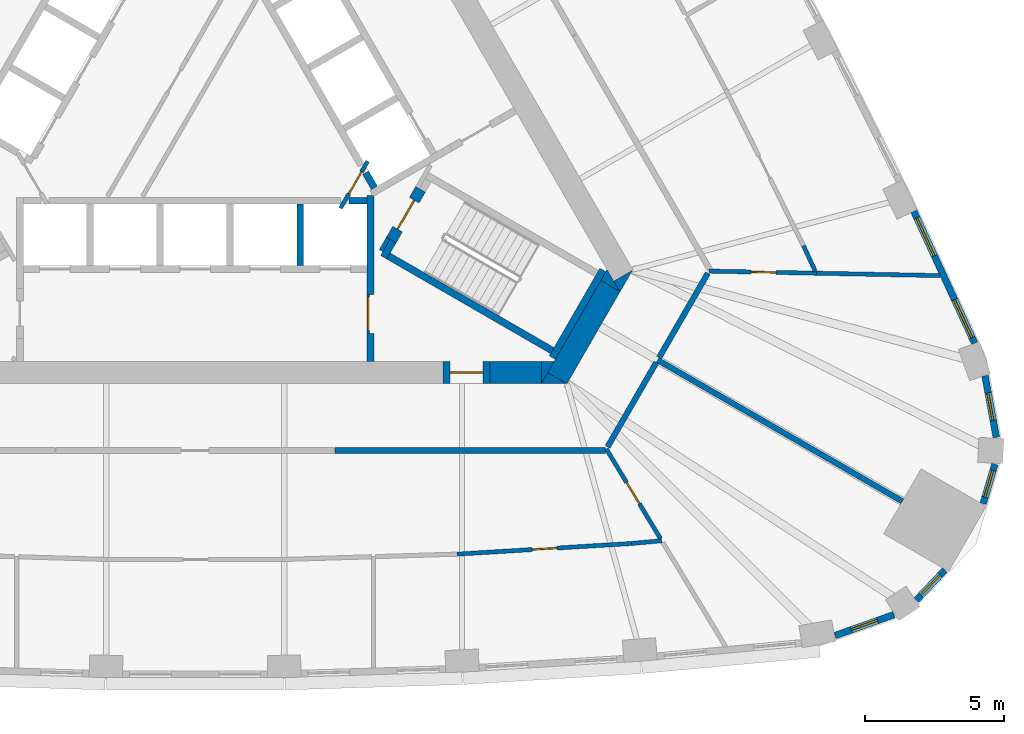
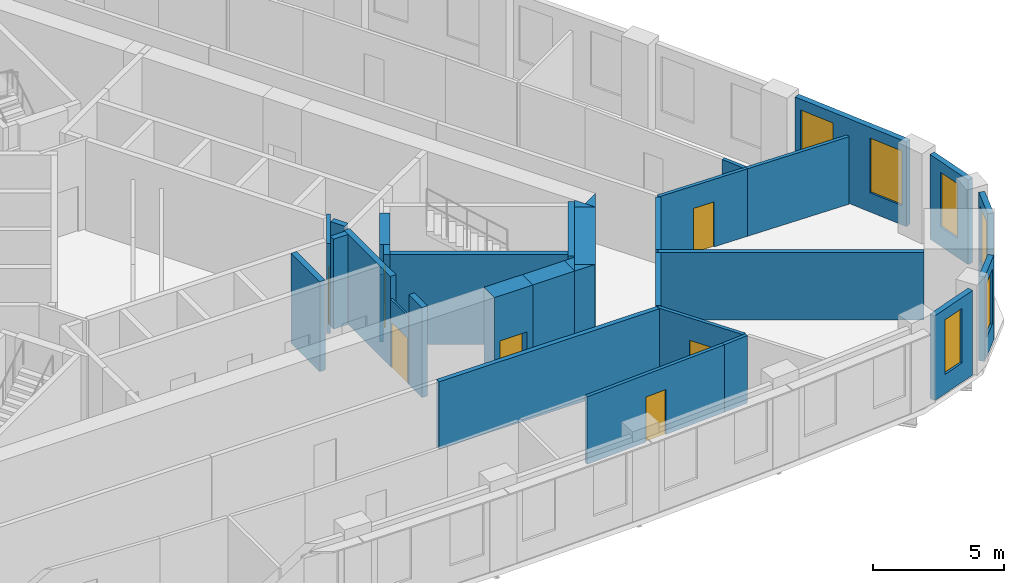
# One storey, part 6 of 10: 34 walls, 7 doors, 6 windows, 13 openings.
"""IFC4 building model written with IfcOpenShell, lengths in metres."""

from ifc_helpers import new_model, si_unit, direction, frame, frame_2d, origin, place, context, subcontext, project, spatial, polyline, rectangle, outline, extrude, material, layer, layer_set, type_object, element, fill, save


model = new_model("IFC4")

# Units and contexts
model_context = context("Model", 3, precision=1e-05, world=origin(), true_north=direction((0.0, 1.0)))
body_context = subcontext(model_context, "Body", "Model", "MODEL_VIEW")
ifc_project = project(units=[si_unit("LENGTHUNIT", "METRE"), si_unit("AREAUNIT", "SQUARE_METRE"), si_unit("VOLUMEUNIT", "CUBIC_METRE"), si_unit("PLANEANGLEUNIT", "RADIAN"), si_unit("MASSUNIT", "GRAM", prefix="KILO")], contexts=[model_context])

# Site, building, storey
site_placement = place(None, origin())
site = spatial("IfcSite", under=ifc_project, at=site_placement, CompositionType="ELEMENT")
building_placement = place(site_placement, origin())
building = spatial("IfcBuilding", under=site, at=building_placement, Name="Mestral Congress Tower", CompositionType="ELEMENT")
storey_placement = place(building_placement, frame((0.0, 0.0, 141.60009765625)))
storey = spatial("IfcBuildingStorey", under=building, at=storey_placement, Name="L33", CompositionType="ELEMENT", Elevation=141.60009765625)

# Wall
ifc_material_1 = material(Name="Fire-rated board partition")
ifc_layer_1 = layer(ifc_material_1, 0.14990234375)
ifc_layer_set_1 = layer_set([ifc_layer_1], Name="Fire-rated board partition")
wall_type_1 = type_object("IfcWallType", Name="Core partition 150", PredefinedType="PARTITIONING", material=ifc_layer_set_1)
wall_1_placement = place(storey_placement, frame((6.94482421875, -5.22216796875, 0.0), z_axis=(0.0, 0.0, 1.0), x_axis=(-0.499818422106, -0.866130212453, 0.0)))
element("IfcWall", 1, at=wall_1_placement, inside=storey, type_object=wall_type_1, Name="L33 core wall", PredefinedType="PARTITIONING", context=body_context, shape_type="SweptSolid", body=[
    extrude(rectangle(XDim=0.513916015625, YDim=0.14990234375, at=frame_2d((0.2568359375, 0.0))), origin(), (0.0, 0.0, 1.0), 3.14990234375),
])

# Wall, opening, door
ifc_layer_2 = layer(ifc_material_1, 0.090087890625)
ifc_layer_set_2 = layer_set([ifc_layer_2], Name="Fire-rated board partition")
wall_type_2 = type_object("IfcWallType", Name="Core partition 150 door-wall 90", PredefinedType="PARTITIONING", material=ifc_layer_set_2)
wall_2_placement = place(storey_placement, frame((6.219970703125, -7.23681640625, 0.0), z_axis=(0.0, 0.0, 1.0), x_axis=(0.0, -1.0, 0.0)))
wall_2 = element("IfcWall", 2, at=wall_2_placement, inside=storey, type_object=wall_type_2, Name="L33 door wall", PredefinedType="PARTITIONING", context=body_context, shape_type="SweptSolid", body=[
    extrude(rectangle(XDim=1.400146484375, YDim=0.090087890625, at=frame_2d((0.7001953125, 0.0))), origin(), (0.0, 0.0, 1.0), 3.14990234375),
])
opening_1_placement = place(wall_2_placement, frame((0.10009765625, 0.0, 0.0)))
opening_1 = element("IfcOpeningElement", 3, at=opening_1_placement, cuts=wall_2, Name="Opening LB0-WL1", PredefinedType="OPENING", context=body_context, shape_type="SweptSolid", body=[
    extrude(rectangle(XDim=1.199951171875, YDim=2.10009765625, at=frame_2d((0.60009765625, 1.050048828125))), frame((0.0, 0.054931640625, 0.0), z_axis=(0.0, -1.0, 0.0), x_axis=(1.0, 0.0, 0.0)), (0.0, 0.0, 1.0), 0.110107421875),
])
ifc_material_2 = material(Name="Fire-rated steel door set", Category="steel")
door_type_1 = type_object("IfcDoorType", Name="Core door LB 1200x2100", OperationType="SINGLE_SWING_LEFT", PredefinedType="DOOR", material=ifc_material_2)
door_1_placement = place(opening_1_placement, origin())
door_1 = element("IfcDoor", 4, at=door_1_placement, inside=storey, type_object=door_type_1, Name="Door LB0-WL1", OperationType="SINGLE_SWING_LEFT", OverallHeight=2.10009765625, OverallWidth=1.199951171875, PredefinedType="DOOR", context=body_context, shape_type="SweptSolid", body=[
    extrude(rectangle(XDim=1.199951171875, YDim=2.10009765625, at=frame_2d((0.60009765625, 1.050048828125))), frame((0.0, 0.02490234375, 0.0), z_axis=(0.0, -1.0, 0.0), x_axis=(1.0, 0.0, 0.0)), (0.0, 0.0, 1.0), 0.050048828125),
])
fill(opening_1, door_1)

# Walls
ifc_material_3 = material(Name="Concrete C60/75", Category="concrete")
ifc_layer_3 = layer(ifc_material_3, 0.800048828125)
ifc_layer_set_3 = layer_set([ifc_layer_3], Name="Concrete C60/75")
wall_type_3 = type_object("IfcWallType", Name="Core wall RC 800", PredefinedType="SOLIDWALL", material=ifc_layer_set_3)
placement = place(storey_placement, origin())
element("IfcWall", 5, at=placement, inside=storey, type_object=wall_type_3, Name="L33 core wall", PredefinedType="SOLIDWALL", context=body_context, shape_type="SweptSolid", body=[
    extrude(outline(polyline([(15.27099609375, -7.14990234375), (15.046875, -6.761962890625), (15.718994140625, -6.3740234375), (15.27099609375, -7.14990234375)])), origin(), (0.0, 0.0, 1.0), 4.199951171875),
])
wall_4_placement = place(storey_placement, frame((13.018310546875, -10.251708984375, 0.0), z_axis=(0.0, 0.0, 1.0), x_axis=(0.499984020225, 0.866034629516, 0.0)))
element("IfcWall", 6, at=wall_4_placement, inside=storey, type_object=wall_type_3, Name="L33 core wall", PredefinedType="SOLIDWALL", context=body_context, shape_type="SweptSolid", body=[
    extrude(rectangle(XDim=3.824462890625, YDim=0.800048828125, at=frame_2d((1.912109375, 0.0))), origin(), (0.0, 0.0, 1.0), 4.199951171875),
])
element("IfcWall", 7, at=placement, inside=storey, type_object=wall_type_3, Name="L33 core wall", PredefinedType="SOLIDWALL", context=body_context, shape_type="SweptSolid", body=[
    extrude(outline(polyline([(12.6708984375, -10.053466796875), (13.35791015625, -10.449951171875), (12.44189453125, -10.449951171875), (12.6708984375, -10.053466796875)])), origin(), (0.0, 0.0, 1.0), 4.199951171875),
])
element("IfcWall", 8, at=placement, inside=storey, type_object=wall_type_3, Name="L33 core wall", PredefinedType="SOLIDWALL", context=body_context, shape_type="SweptSolid", body=[
    extrude(outline(polyline([(14.80908203125, -6.35009765625), (15.257080078125, -7.1259765625), (14.5849609375, -6.738037109375), (14.80908203125, -6.35009765625)])), origin(), (0.0, 0.0, 1.0), 4.199951171875),
])
wall_7_placement = place(storey_placement, frame((10.6044921875, -10.050048828125, 0.0), z_axis=(0.0, 0.0, 1.0), x_axis=(1.0, 0.0, 0.0)))
element("IfcWall", 9, at=wall_7_placement, inside=storey, type_object=wall_type_3, Name="L33 core wall", PredefinedType="SOLIDWALL", context=body_context, shape_type="SweptSolid", body=[
    extrude(rectangle(XDim=1.849365234375, YDim=0.800048828125, at=frame_2d((0.9248046875, 0.0))), origin(), (0.0, 0.0, 1.0), 4.199951171875),
])
element("IfcWall", 10, at=placement, inside=storey, type_object=wall_type_3, Name="L33 core wall", PredefinedType="SOLIDWALL", context=body_context, shape_type="SweptSolid", body=[
    extrude(outline(polyline([(12.90380859375, -9.64990234375), (12.455810546875, -10.42578125), (12.455810546875, -9.64990234375), (12.90380859375, -9.64990234375)])), origin(), (0.0, 0.0, 1.0), 4.199951171875),
])

# Wall, opening, door
wall_9_placement = place(storey_placement, frame((10.6044921875, -10.050048828125, 0.0), z_axis=(0.0, 0.0, 1.0), x_axis=(-1.0, 0.0, 0.0)))
wall_9 = element("IfcWall", 11, at=wall_9_placement, inside=storey, type_object=wall_type_3, Name="L33 door wall", PredefinedType="SOLIDWALL", context=body_context, shape_type="SweptSolid", body=[
    extrude(rectangle(XDim=1.699951171875, YDim=0.800048828125, at=frame_2d((0.85009765625, 0.0))), origin(), (0.0, 0.0, 1.0), 4.199951171875),
])
opening_2_placement = place(wall_9_placement, frame((0.25, 0.0, 0.0)))
opening_2 = element("IfcOpeningElement", 12, at=opening_2_placement, cuts=wall_9, Name="Opening XD1", PredefinedType="OPENING", context=body_context, shape_type="SweptSolid", body=[
    extrude(rectangle(XDim=1.199951171875, YDim=2.10009765625, at=frame_2d((0.60009765625, 1.050048828125))), frame((0.0, 0.409912109375, 0.0), z_axis=(0.0, -1.0, 0.0), x_axis=(1.0, 0.0, 0.0)), (0.0, 0.0, 1.0), 0.820068359375),
])
door_type_2 = type_object("IfcDoorType", Name="Core door XD 1200x2100", OperationType="SINGLE_SWING_LEFT", PredefinedType="DOOR", material=ifc_material_2)
door_2_placement = place(opening_2_placement, origin())
door_2 = element("IfcDoor", 13, at=door_2_placement, inside=storey, type_object=door_type_2, Name="Door XD1", OperationType="SINGLE_SWING_LEFT", OverallHeight=2.10009765625, OverallWidth=1.199951171875, PredefinedType="DOOR", context=body_context, shape_type="SweptSolid", body=[
    extrude(rectangle(XDim=1.199951171875, YDim=2.10009765625, at=frame_2d((0.60009765625, 1.050048828125))), frame((0.0, 0.02490234375, 0.0), z_axis=(0.0, -1.0, 0.0), x_axis=(1.0, 0.0, 0.0)), (0.0, 0.0, 1.0), 0.050048828125),
])
fill(opening_2, door_2)

# Wall, opening, window
ifc_material_4 = material(Name="Precast concrete C40/50 with limestone facing", Category="masonry")
ifc_layer_4 = layer(ifc_material_4, 0.239990234375)
ifc_layer_set_4 = layer_set([ifc_layer_4], Name="Precast concrete C40/50 with limestone facing")
wall_type_4 = type_object("IfcWallType", Name="Facade stone wall 240", PredefinedType="SOLIDWALL", material=ifc_layer_set_4)
wall_10_placement = place(storey_placement, frame((23.0009765625, -19.50537109375, 0.0), z_axis=(0.0, 0.0, 1.0), x_axis=(0.942099727267, 0.335332825539, 0.0)))
wall_10 = element("IfcWall", 14, at=wall_10_placement, inside=storey, type_object=wall_type_4, Name="Facade wall K0-0", PredefinedType="SOLIDWALL", context=body_context, shape_type="SweptSolid", body=[
    extrude(rectangle(XDim=2.25048828125, YDim=0.239990234375, at=frame_2d((1.125244140625, 0.0))), origin(), (0.0, 0.0, 1.0), 3.949951171875),
])
opening_3_placement = place(wall_10_placement, frame((0.625244140625, 0.0, 0.89990234375)))
opening_3 = element("IfcOpeningElement", 15, at=opening_3_placement, cuts=wall_10, Name="Opening W5", PredefinedType="OPENING", context=body_context, shape_type="SweptSolid", body=[
    extrude(rectangle(XDim=1.0, YDim=2.550048828125, at=frame_2d((0.5, 1.27490234375))), frame((0.0, 0.1298828125, 0.0), z_axis=(0.0, -1.0, 0.0), x_axis=(1.0, 0.0, 0.0)), (0.0, 0.0, 1.0), 0.260009765625),
])
ifc_material_5 = material(Name="Clear low-emissivity double glazing", Category="glass")
window_type_1 = type_object("IfcWindowType", Name="Facade punched window 1000 x 2550 sill 900", PartitioningType="SINGLE_PANEL", PredefinedType="WINDOW", material=ifc_material_5)
window_1_placement = place(opening_3_placement, origin())
window_1 = element("IfcWindow", 16, at=window_1_placement, inside=storey, type_object=window_type_1, Name="Window K0-0", OverallHeight=2.550048828125, OverallWidth=1.0, PartitioningType="SINGLE_PANEL", PredefinedType="WINDOW", context=body_context, shape_type="SweptSolid", body=[
    extrude(rectangle(XDim=1.0, YDim=2.550048828125, at=frame_2d((0.5, 1.27490234375))), frame((0.0, 0.0400390625, 0.0), z_axis=(0.0, -1.0, 0.0), x_axis=(1.0, 0.0, 0.0)), (0.0, 0.0, 1.0), 0.06005859375),
])
fill(opening_3, window_1)

wall_11_placement = place(storey_placement, frame((25.9267578125, -18.226318359375, 0.0), z_axis=(0.0, 0.0, 1.0), x_axis=(0.687986858937, 0.725723144133, 0.0)))
wall_11 = element("IfcWall", 17, at=wall_11_placement, inside=storey, type_object=wall_type_4, Name="Facade wall K0-1", PredefinedType="SOLIDWALL", context=body_context, shape_type="SweptSolid", body=[
    extrude(rectangle(XDim=1.4814453125, YDim=0.239990234375, at=frame_2d((0.74072265625, 0.0))), origin(), (0.0, 0.0, 1.0), 3.949951171875),
])
opening_4_placement = place(wall_11_placement, frame((0.24072265625, 0.0, 0.89990234375)))
opening_4 = element("IfcOpeningElement", 18, at=opening_4_placement, cuts=wall_11, Name="Opening W5", PredefinedType="OPENING", context=body_context, shape_type="SweptSolid", body=[
    extrude(rectangle(XDim=1.0, YDim=2.550048828125, at=frame_2d((0.5, 1.27490234375))), frame((0.0, 0.1298828125, 0.0), z_axis=(0.0, -1.0, 0.0), x_axis=(1.0, 0.0, 0.0)), (0.0, 0.0, 1.0), 0.260009765625),
])
window_2_placement = place(opening_4_placement, origin())
window_2 = element("IfcWindow", 19, at=window_2_placement, inside=storey, type_object=window_type_1, Name="Window K0-1", OverallHeight=2.550048828125, OverallWidth=1.0, PartitioningType="SINGLE_PANEL", PredefinedType="WINDOW", context=body_context, shape_type="SweptSolid", body=[
    extrude(rectangle(XDim=1.0, YDim=2.550048828125, at=frame_2d((0.5, 1.27490234375))), frame((0.0, 0.0400390625, 0.0), z_axis=(0.0, -1.0, 0.0), x_axis=(1.0, 0.0, 0.0)), (0.0, 0.0, 1.0), 0.06005859375),
])
fill(opening_4, window_2)

wall_12_placement = place(storey_placement, frame((28.326416015625, -14.760498046875, 0.0), z_axis=(0.0, 0.0, 1.0), x_axis=(0.284413721403, 0.958701640281, 0.0)))
wall_12 = element("IfcWall", 20, at=wall_12_placement, inside=storey, type_object=wall_type_4, Name="Facade wall K0-2", PredefinedType="SOLIDWALL", context=body_context, shape_type="SweptSolid", body=[
    extrude(rectangle(XDim=1.481689453125, YDim=0.239990234375, at=frame_2d((0.74072265625, 0.0))), origin(), (0.0, 0.0, 1.0), 3.949951171875),
])
opening_5_placement = place(wall_12_placement, frame((0.24072265625, 0.0, 0.89990234375)))
opening_5 = element("IfcOpeningElement", 21, at=opening_5_placement, cuts=wall_12, Name="Opening W5", PredefinedType="OPENING", context=body_context, shape_type="SweptSolid", body=[
    extrude(rectangle(XDim=1.0, YDim=2.550048828125, at=frame_2d((0.5, 1.27490234375))), frame((0.0, 0.1298828125, 0.0), z_axis=(0.0, -1.0, 0.0), x_axis=(1.0, 0.0, 0.0)), (0.0, 0.0, 1.0), 0.260009765625),
])
window_3_placement = place(opening_5_placement, origin())
window_3 = element("IfcWindow", 22, at=window_3_placement, inside=storey, type_object=window_type_1, Name="Window K0-2", OverallHeight=2.550048828125, OverallWidth=1.0, PartitioningType="SINGLE_PANEL", PredefinedType="WINDOW", context=body_context, shape_type="SweptSolid", body=[
    extrude(rectangle(XDim=1.0, YDim=2.550048828125, at=frame_2d((0.5, 1.27490234375))), frame((0.0, 0.0400390625, 0.0), z_axis=(0.0, -1.0, 0.0), x_axis=(1.0, 0.0, 0.0)), (0.0, 0.0, 1.0), 0.06005859375),
])
fill(opening_5, window_3)

wall_13_placement = place(storey_placement, frame((28.79931640625, -12.380126953125, 0.0), z_axis=(0.0, 0.0, 1.0), x_axis=(-0.180737189259, 0.983531427265, 0.0)))
wall_13 = element("IfcWall", 23, at=wall_13_placement, inside=storey, type_object=wall_type_4, Name="Facade wall K0-3", PredefinedType="SOLIDWALL", context=body_context, shape_type="SweptSolid", body=[
    extrude(rectangle(XDim=2.25048828125, YDim=0.239990234375, at=frame_2d((1.125244140625, 0.0))), origin(), (0.0, 0.0, 1.0), 3.949951171875),
])
opening_6_placement = place(wall_13_placement, frame((0.625244140625, 0.0, 0.89990234375)))
opening_6 = element("IfcOpeningElement", 24, at=opening_6_placement, cuts=wall_13, Name="Opening W5", PredefinedType="OPENING", context=body_context, shape_type="SweptSolid", body=[
    extrude(rectangle(XDim=1.0, YDim=2.550048828125, at=frame_2d((0.5, 1.27490234375))), frame((0.0, 0.1298828125, 0.0), z_axis=(0.0, -1.0, 0.0), x_axis=(1.0, 0.0, 0.0)), (0.0, 0.0, 1.0), 0.260009765625),
])
window_4_placement = place(opening_6_placement, origin())
window_4 = element("IfcWindow", 25, at=window_4_placement, inside=storey, type_object=window_type_1, Name="Window K0-3", OverallHeight=2.550048828125, OverallWidth=1.0, PartitioningType="SINGLE_PANEL", PredefinedType="WINDOW", context=body_context, shape_type="SweptSolid", body=[
    extrude(rectangle(XDim=1.0, YDim=2.550048828125, at=frame_2d((0.5, 1.27490234375))), frame((0.0, 0.0400390625, 0.0), z_axis=(0.0, -1.0, 0.0), x_axis=(1.0, 0.0, 0.0)), (0.0, 0.0, 1.0), 0.06005859375),
])
fill(opening_6, window_4)

# Wall, openings, windows
wall_14_placement = place(storey_placement, frame((28.019775390625, -8.991943359375, 0.0), z_axis=(0.0, 0.0, 1.0), x_axis=(-0.418722559465, 0.908114209885, 0.0)))
wall_14 = element("IfcWall", 26, at=wall_14_placement, inside=storey, type_object=wall_type_4, Name="Facade wall F1-00", PredefinedType="SOLIDWALL", context=body_context, shape_type="SweptSolid", body=[
    extrude(rectangle(XDim=5.213134765625, YDim=0.239990234375, at=frame_2d((2.6064453125, 0.0))), origin(), (0.0, 0.0, 1.0), 3.949951171875),
])
opening_7_placement = place(wall_14_placement, frame((0.220947265625, 0.0, 0.89990234375)))
opening_7 = element("IfcOpeningElement", 27, at=opening_7_placement, cuts=wall_14, Name="Opening W4", PredefinedType="OPENING", context=body_context, shape_type="SweptSolid", body=[
    extrude(rectangle(XDim=1.5, YDim=2.550048828125, at=frame_2d((0.75, 1.27490234375))), frame((0.0, 0.1298828125, 0.0), z_axis=(0.0, -1.0, 0.0), x_axis=(1.0, 0.0, 0.0)), (0.0, 0.0, 1.0), 0.260009765625),
])
opening_8_placement = place(wall_14_placement, frame((3.452392578125, 0.0, 0.89990234375)))
opening_8 = element("IfcOpeningElement", 28, at=opening_8_placement, cuts=wall_14, Name="Opening W4", PredefinedType="OPENING", context=body_context, shape_type="SweptSolid", body=[
    extrude(rectangle(XDim=1.5, YDim=2.550048828125, at=frame_2d((0.75, 1.27490234375))), frame((0.0, 0.1298828125, 0.0), z_axis=(0.0, -1.0, 0.0), x_axis=(1.0, 0.0, 0.0)), (0.0, 0.0, 1.0), 0.260009765625),
])
window_type_2 = type_object("IfcWindowType", Name="Facade punched window 1500 x 2550 sill 900", PartitioningType="SINGLE_PANEL", PredefinedType="WINDOW", material=ifc_material_5)
window_5_placement = place(opening_7_placement, origin())
window_5 = element("IfcWindow", 29, at=window_5_placement, inside=storey, type_object=window_type_2, Name="Window F1-00a", OverallHeight=2.550048828125, OverallWidth=1.5, PartitioningType="SINGLE_PANEL", PredefinedType="WINDOW", context=body_context, shape_type="SweptSolid", body=[
    extrude(rectangle(XDim=1.5, YDim=2.550048828125, at=frame_2d((0.75, 1.27490234375))), frame((0.0, 0.0400390625, 0.0), z_axis=(0.0, -1.0, 0.0), x_axis=(1.0, 0.0, 0.0)), (0.0, 0.0, 1.0), 0.06005859375),
])
fill(opening_7, window_5)
window_6_placement = place(opening_8_placement, origin())
window_6 = element("IfcWindow", 30, at=window_6_placement, inside=storey, type_object=window_type_2, Name="Window F1-00b", OverallHeight=2.550048828125, OverallWidth=1.5, PartitioningType="SINGLE_PANEL", PredefinedType="WINDOW", context=body_context, shape_type="SweptSolid", body=[
    extrude(rectangle(XDim=1.5, YDim=2.550048828125, at=frame_2d((0.75, 1.27490234375))), frame((0.0, 0.0400390625, 0.0), z_axis=(0.0, -1.0, 0.0), x_axis=(1.0, 0.0, 0.0)), (0.0, 0.0, 1.0), 0.06005859375),
])
fill(opening_8, window_6)

# Wall, opening, door
ifc_material_6 = material(Name="Plasterboard partition on steel studs", Category="steel")
ifc_layer_5 = layer(ifc_material_6, 0.14990234375)
ifc_layer_set_5 = layer_set([ifc_layer_5], Name="Plasterboard partition on steel studs")
wall_type_5 = type_object("IfcWallType", Name="Office partition 150", PredefinedType="PARTITIONING", material=ifc_layer_set_5)
wall_15_placement = place(storey_placement, frame((15.691650390625, -16.193115234375, 0.0), z_axis=(0.0, 0.0, 1.0), x_axis=(-0.998137075468, -0.061011298754, 0.0)))
wall_15 = element("IfcWall", 31, at=wall_15_placement, inside=storey, type_object=wall_type_5, Name="Partition", PredefinedType="PARTITIONING", context=body_context, shape_type="SweptSolid", body=[
    extrude(rectangle(XDim=6.282470703125, YDim=0.14990234375, at=frame_2d((3.14111328125, 0.0))), origin(), (0.0, 0.0, 1.0), 3.14990234375),
])
opening_9_placement = place(wall_15_placement, frame((2.6826171875, 0.0, 0.0)))
opening_9 = element("IfcOpeningElement", 32, at=opening_9_placement, cuts=wall_15, Name="Opening O01-004", PredefinedType="OPENING", context=body_context, shape_type="SweptSolid", body=[
    extrude(rectangle(XDim=0.89990234375, YDim=2.10009765625, at=frame_2d((0.449951171875, 1.050048828125))), frame((0.0, 0.0849609375, 0.0), z_axis=(0.0, -1.0, 0.0), x_axis=(1.0, 0.0, 0.0)), (0.0, 0.0, 1.0), 0.169921875),
])
ifc_material_7 = material(Name="Timber door set", Category="wood")
door_type_3 = type_object("IfcDoorType", Name="Office door 900x2100", OperationType="SINGLE_SWING_LEFT", PredefinedType="DOOR", material=ifc_material_7)
door_3_placement = place(opening_9_placement, origin())
door_3 = element("IfcDoor", 33, at=door_3_placement, inside=storey, type_object=door_type_3, Name="Door O01-004", OperationType="SINGLE_SWING_LEFT", OverallHeight=2.10009765625, OverallWidth=0.89990234375, PredefinedType="DOOR", context=body_context, shape_type="SweptSolid", body=[
    extrude(rectangle(XDim=0.89990234375, YDim=2.10009765625, at=frame_2d((0.449951171875, 1.050048828125))), frame((0.0, 0.02490234375, 0.0), z_axis=(0.0, -1.0, 0.0), x_axis=(1.0, 0.0, 0.0)), (0.0, 0.0, 1.0), 0.050048828125),
])
fill(opening_9, door_3)

# Wall
wall_16_placement = place(storey_placement, frame((15.691650390625, -16.193115234375, 0.0), z_axis=(0.0, 0.0, 1.0), x_axis=(0.995822859979, 0.091306251389, 0.0)))
element("IfcWall", 34, at=wall_16_placement, inside=storey, type_object=wall_type_5, Name="Partition", PredefinedType="PARTITIONING", context=body_context, shape_type="SweptSolid", body=[
    extrude(rectangle(XDim=1.085693359375, YDim=0.14990234375, at=frame_2d((0.54296875, 0.0))), origin(), (0.0, 0.0, 1.0), 3.14990234375),
])

# Wall, opening, door
wall_17_placement = place(storey_placement, frame((14.7822265625, -12.79638671875, 0.0), z_axis=(0.0, 0.0, 1.0), x_axis=(0.516809076879, -0.856100682196, 0.0)))
wall_17 = element("IfcWall", 35, at=wall_17_placement, inside=storey, type_object=wall_type_5, Name="Partition", PredefinedType="PARTITIONING", context=body_context, shape_type="SweptSolid", body=[
    extrude(rectangle(XDim=3.768310546875, YDim=0.14990234375, at=frame_2d((1.88427734375, 0.0))), origin(), (0.0, 0.0, 1.0), 3.14990234375),
])
opening_10_placement = place(wall_17_placement, frame((1.39990234375, 0.0, 0.0)))
opening_10 = element("IfcOpeningElement", 36, at=opening_10_placement, cuts=wall_17, Name="Opening O01-006", PredefinedType="OPENING", context=body_context, shape_type="SweptSolid", body=[
    extrude(rectangle(XDim=0.89990234375, YDim=2.10009765625, at=frame_2d((0.449951171875, 1.050048828125))), frame((0.0, 0.0849609375, 0.0), z_axis=(0.0, -1.0, 0.0), x_axis=(1.0, 0.0, 0.0)), (0.0, 0.0, 1.0), 0.169921875),
])
door_4_placement = place(opening_10_placement, origin())
door_4 = element("IfcDoor", 37, at=door_4_placement, inside=storey, type_object=door_type_3, Name="Door O01-006", OperationType="SINGLE_SWING_LEFT", OverallHeight=2.10009765625, OverallWidth=0.89990234375, PredefinedType="DOOR", context=body_context, shape_type="SweptSolid", body=[
    extrude(rectangle(XDim=0.89990234375, YDim=2.10009765625, at=frame_2d((0.449951171875, 1.050048828125))), frame((0.0, 0.02490234375, 0.0), z_axis=(0.0, -1.0, 0.0), x_axis=(1.0, 0.0, 0.0)), (0.0, 0.0, 1.0), 0.050048828125),
])
fill(opening_10, door_4)

# Wall
wall_18_placement = place(storey_placement, frame((22.319580078125, -6.478515625, 0.0), z_axis=(0.0, 0.0, 1.0), x_axis=(0.999809252738, -0.019530953357, 0.0)))
element("IfcWall", 38, at=wall_18_placement, inside=storey, type_object=wall_type_5, Name="Partition", PredefinedType="PARTITIONING", context=body_context, shape_type="SweptSolid", body=[
    extrude(rectangle(XDim=4.449951171875, YDim=0.14990234375, at=frame_2d((2.22509765625, 0.0))), origin(), (0.0, 0.0, 1.0), 3.14990234375),
])

# Wall, opening, door
wall_19_placement = place(storey_placement, frame((22.328125, -6.478759765625, 0.0), z_axis=(0.0, 0.0, 1.0), x_axis=(-0.999809811932, 0.019502306655, 0.0)))
wall_19 = element("IfcWall", 39, at=wall_19_placement, inside=storey, type_object=wall_type_5, Name="Partition", PredefinedType="PARTITIONING", context=body_context, shape_type="SweptSolid", body=[
    extrude(rectangle(XDim=3.855712890625, YDim=0.14990234375, at=frame_2d((1.927734375, 0.0))), origin(), (0.0, 0.0, 1.0), 3.14990234375),
])
opening_11_placement = place(wall_19_placement, frame((1.45556640625, 0.0, 0.0)))
opening_11 = element("IfcOpeningElement", 40, at=opening_11_placement, cuts=wall_19, Name="Opening O01-007", PredefinedType="OPENING", context=body_context, shape_type="SweptSolid", body=[
    extrude(rectangle(XDim=0.89990234375, YDim=2.10009765625, at=frame_2d((0.449951171875, 1.050048828125))), frame((0.0, 0.0849609375, 0.0), z_axis=(0.0, -1.0, 0.0), x_axis=(1.0, 0.0, 0.0)), (0.0, 0.0, 1.0), 0.169921875),
])
door_5_placement = place(opening_11_placement, origin())
door_5 = element("IfcDoor", 41, at=door_5_placement, inside=storey, type_object=door_type_3, Name="Door O01-007", OperationType="SINGLE_SWING_LEFT", OverallHeight=2.10009765625, OverallWidth=0.89990234375, PredefinedType="DOOR", context=body_context, shape_type="SweptSolid", body=[
    extrude(rectangle(XDim=0.89990234375, YDim=2.10009765625, at=frame_2d((0.449951171875, 1.050048828125))), frame((0.0, 0.02490234375, 0.0), z_axis=(0.0, -1.0, 0.0), x_axis=(1.0, 0.0, 0.0)), (0.0, 0.0, 1.0), 0.050048828125),
])
fill(opening_11, door_5)

# Walls
wall_20_placement = place(storey_placement, frame((22.289306640625, -6.403076171875, 0.0), z_axis=(0.0, 0.0, 1.0), x_axis=(-0.41893460807, 0.908016406328, 0.0)))
element("IfcWall", 42, at=wall_20_placement, inside=storey, type_object=wall_type_5, Name="Partition", PredefinedType="PARTITIONING", context=body_context, shape_type="SweptSolid", body=[
    extrude(rectangle(XDim=1.00244140625, YDim=0.14990234375, at=frame_2d((0.501220703125, 0.0))), origin(), (0.0, 0.0, 1.0), 3.14990234375),
])
ifc_material_8 = material(Name="Dense masonry wall, plastered", Category="masonry")
ifc_layer_6 = layer(ifc_material_8, 0.199951171875)
ifc_layer_set_6 = layer_set([ifc_layer_6], Name="Dense masonry wall, plastered")
wall_type_6 = type_object("IfcWallType", Name="Office tenancy wall 200", PredefinedType="PARTITIONING", material=ifc_layer_set_6)
wall_21_placement = place(storey_placement, frame((5.030029296875, -12.85009765625, 0.0), z_axis=(0.0, 0.0, 1.0), x_axis=(1.0, 0.0, 0.0)))
element("IfcWall", 43, at=wall_21_placement, inside=storey, type_object=wall_type_6, Name="Tenancy wall", PredefinedType="PARTITIONING", context=body_context, shape_type="SweptSolid", body=[
    extrude(rectangle(XDim=9.72119140625, YDim=0.199951171875, at=frame_2d((4.860595703125, 0.0))), origin(), (0.0, 0.0, 1.0), 3.14990234375),
])
wall_22_placement = place(storey_placement, frame((16.627685546875, -9.60009765625, 0.0), z_axis=(0.0, 0.0, 1.0), x_axis=(0.866031435434, -0.499989552732, 0.0)))
element("IfcWall", 44, at=wall_22_placement, inside=storey, type_object=wall_type_6, Name="Tenancy wall", PredefinedType="PARTITIONING", context=body_context, shape_type="SweptSolid", body=[
    extrude(rectangle(XDim=10.154052734375, YDim=0.199951171875, at=frame_2d((5.0771484375, 0.0))), origin(), (0.0, 0.0, 1.0), 3.14990234375),
])
wall_23_placement = place(storey_placement, frame((14.824951171875, -12.722412109375, 0.0), z_axis=(0.0, 0.0, 1.0), x_axis=(0.499981686864, 0.86603597662, 0.0)))
element("IfcWall", 45, at=wall_23_placement, inside=storey, type_object=wall_type_6, Name="Tenancy wall", PredefinedType="PARTITIONING", context=body_context, shape_type="SweptSolid", body=[
    extrude(rectangle(XDim=3.505615234375, YDim=0.199951171875, at=frame_2d((1.7529296875, 0.0))), origin(), (0.0, 0.0, 1.0), 3.14990234375),
])
wall_24_placement = place(storey_placement, frame((16.677734375, -9.513427734375, 0.0), z_axis=(0.0, 0.0, 1.0), x_axis=(0.500011844827, 0.866018565062, 0.0)))
element("IfcWall", 46, at=wall_24_placement, inside=storey, type_object=wall_type_6, Name="Tenancy wall", PredefinedType="PARTITIONING", context=body_context, shape_type="SweptSolid", body=[
    extrude(rectangle(XDim=3.50537109375, YDim=0.199951171875, at=frame_2d((1.752685546875, 0.0))), origin(), (0.0, 0.0, 1.0), 3.14990234375),
])
ifc_layer_7 = layer(ifc_material_3, 0.25)
ifc_layer_set_7 = layer_set([ifc_layer_7], Name="Concrete C60/75")
wall_type_7 = type_object("IfcWallType", Name="Shaft wall RC 250", PredefinedType="SOLIDWALL", material=ifc_layer_set_7)
wall_25_placement = place(storey_placement, frame((3.780029296875, -4.0, 0.0), z_axis=(0.0, 0.0, 1.0), x_axis=(0.0, -1.0, 0.0)))
element("IfcWall", 47, at=wall_25_placement, inside=storey, type_object=wall_type_7, Name="L33 core wall", PredefinedType="SOLIDWALL", context=body_context, shape_type="SweptSolid", body=[
    extrude(rectangle(XDim=2.199951171875, YDim=0.25, at=frame_2d((1.10009765625, 0.0))), origin(), (0.0, 0.0, 1.0), 4.199951171875),
])
wall_26_placement = place(storey_placement, frame((6.300048828125, -7.239990234375, 0.0), z_axis=(0.0, 0.0, 1.0), x_axis=(0.0, 1.0, 0.0)))
element("IfcWall", 48, at=wall_26_placement, inside=storey, type_object=wall_type_7, Name="L33 core wall", PredefinedType="SOLIDWALL", context=body_context, shape_type="SweptSolid", body=[
    extrude(rectangle(XDim=3.55615234375, YDim=0.25, at=frame_2d((1.778076171875, 0.0))), origin(), (0.0, 0.0, 1.0), 4.199951171875),
])
wall_27_placement = place(storey_placement, frame((6.300048828125, -9.64990234375, 0.0), z_axis=(0.0, 0.0, 1.0), x_axis=(0.0, 1.0, 0.0)))
element("IfcWall", 49, at=wall_27_placement, inside=storey, type_object=wall_type_7, Name="L33 core wall", PredefinedType="SOLIDWALL", context=body_context, shape_type="SweptSolid", body=[
    extrude(rectangle(XDim=1.0078125, YDim=0.25, at=frame_2d((0.50390625, 0.0))), origin(), (0.0, 0.0, 1.0), 4.199951171875),
])
wall_28_placement = place(storey_placement, frame((5.538330078125, -3.875, 0.0), z_axis=(0.0, 0.0, 1.0), x_axis=(1.0, 0.0, 0.0)))
element("IfcWall", 50, at=wall_28_placement, inside=storey, type_object=wall_type_7, Name="L33 core wall", PredefinedType="SOLIDWALL", context=body_context, shape_type="SweptSolid", body=[
    extrude(rectangle(XDim=0.63671875, YDim=0.25, at=frame_2d((0.318359375, 0.0))), origin(), (0.0, 0.0, 1.0), 4.199951171875),
])
wall_29_placement = place(storey_placement, frame((6.1298828125, -2.867431640625, 0.0), z_axis=(0.0, 0.0, 1.0), x_axis=(0.500160776593, -0.865932559475, 0.0)))
element("IfcWall", 51, at=wall_29_placement, inside=storey, type_object=wall_type_7, Name="L33 core wall", PredefinedType="SOLIDWALL", context=body_context, shape_type="SweptSolid", body=[
    extrude(rectangle(XDim=0.626708984375, YDim=0.25, at=frame_2d((0.3134765625, 0.0))), origin(), (0.0, 0.0, 1.0), 4.199951171875),
])

# Wall, opening, door
ifc_layer_8 = layer(ifc_material_3, 0.14990234375)
ifc_layer_set_8 = layer_set([ifc_layer_8], Name="Concrete C60/75")
wall_type_8 = type_object("IfcWallType", Name="Shaft wall RC 250 door-wall 150", PredefinedType="SOLIDWALL", material=ifc_layer_set_8)
wall_30_placement = place(storey_placement, frame((6.203369140625, -2.45556640625, 0.0), z_axis=(0.0, 0.0, 1.0), x_axis=(-0.500043961785, -0.866000020948, 0.0)))
wall_30 = element("IfcWall", 52, at=wall_30_placement, inside=storey, type_object=wall_type_8, Name="L33 door wall", PredefinedType="PARTITIONING", context=body_context, shape_type="SweptSolid", body=[
    extrude(rectangle(XDim=1.949951171875, YDim=0.14990234375, at=frame_2d((0.97509765625, 0.0))), origin(), (0.0, 0.0, 1.0), 4.199951171875),
])
opening_12_placement = place(wall_30_placement, frame((0.449951171875, 0.0, 0.0)))
opening_12 = element("IfcOpeningElement", 53, at=opening_12_placement, cuts=wall_30, Name="Opening CD1-HUB0", PredefinedType="OPENING", context=body_context, shape_type="SweptSolid", body=[
    extrude(rectangle(XDim=0.89990234375, YDim=2.10009765625, at=frame_2d((0.449951171875, 1.050048828125))), frame((0.0, 0.0849609375, 0.0), z_axis=(0.0, -1.0, 0.0), x_axis=(1.0, 0.0, 0.0)), (0.0, 0.0, 1.0), 0.169921875),
])
door_type_4 = type_object("IfcDoorType", Name="Core door CD 900x2100", OperationType="SINGLE_SWING_LEFT", PredefinedType="DOOR", material=ifc_material_2)
door_6_placement = place(opening_12_placement, origin())
door_6 = element("IfcDoor", 54, at=door_6_placement, inside=storey, type_object=door_type_4, Name="Door CD1-HUB0", OperationType="SINGLE_SWING_LEFT", OverallHeight=2.10009765625, OverallWidth=0.89990234375, PredefinedType="DOOR", context=body_context, shape_type="SweptSolid", body=[
    extrude(rectangle(XDim=0.89990234375, YDim=2.10009765625, at=frame_2d((0.449951171875, 1.050048828125))), frame((0.0, 0.02490234375, 0.0), z_axis=(0.0, -1.0, 0.0), x_axis=(1.0, 0.0, 0.0)), (0.0, 0.0, 1.0), 0.050048828125),
])
fill(opening_12, door_6)

# Walls
ifc_layer_9 = layer(ifc_material_3, 0.25)
ifc_layer_set_9 = layer_set([ifc_layer_9], Name="Concrete C60/75")
wall_type_9 = type_object("IfcWallType", Name="Stair wall RC 250", PredefinedType="SOLIDWALL", material=ifc_layer_set_9)
wall_31_placement = place(storey_placement, frame((12.839599609375, -9.510986328125, 0.0), z_axis=(0.0, 0.0, 1.0), x_axis=(0.499997733992, 0.866026712061, 0.0)))
element("IfcWall", 55, at=wall_31_placement, inside=storey, type_object=wall_type_9, Name="L33 core wall", PredefinedType="SOLIDWALL", context=body_context, shape_type="SweptSolid", body=[
    extrude(rectangle(XDim=3.6337890625, YDim=0.25, at=frame_2d((1.81689453125, 0.0))), origin(), (0.0, 0.0, 1.0), 4.199951171875),
])
wall_32_placement = place(storey_placement, frame((12.83984375, -9.2607421875, 0.0), z_axis=(0.0, 0.0, 1.0), x_axis=(-0.866013990052, 0.500019768644, 0.0)))
element("IfcWall", 56, at=wall_32_placement, inside=storey, type_object=wall_type_9, Name="L33 core wall", PredefinedType="SOLIDWALL", context=body_context, shape_type="SweptSolid", body=[
    extrude(rectangle(XDim=6.800048828125, YDim=0.25, at=frame_2d((3.39990234375, 0.0))), origin(), (0.0, 0.0, 1.0), 4.199951171875),
])
wall_33_placement = place(storey_placement, frame((6.780029296875, -5.906494140625, 0.0), z_axis=(0.0, 0.0, 1.0), x_axis=(0.500223362819, 0.865896406789, 0.0)))
element("IfcWall", 57, at=wall_33_placement, inside=storey, type_object=wall_type_9, Name="L33 core wall", PredefinedType="SOLIDWALL", context=body_context, shape_type="SweptSolid", body=[
    extrude(rectangle(XDim=0.675048828125, YDim=0.25, at=frame_2d((0.33740234375, 0.0))), origin(), (0.0, 0.0, 1.0), 4.199951171875),
])

# Wall, opening, door
ifc_layer_10 = layer(ifc_material_3, 0.39990234375)
ifc_layer_set_10 = layer_set([ifc_layer_10], Name="Concrete C60/75")
wall_type_10 = type_object("IfcWallType", Name="Stair wall RC 250 door-wall 400", PredefinedType="SOLIDWALL", material=ifc_layer_set_10)
wall_34_placement = place(storey_placement, frame((7.052734375, -5.2841796875, 0.0), z_axis=(0.0, 0.0, 1.0), x_axis=(0.500078061341, 0.865980330357, 0.0)))
wall_34 = element("IfcWall", 58, at=wall_34_placement, inside=storey, type_object=wall_type_10, Name="L33 door wall", PredefinedType="SOLIDWALL", context=body_context, shape_type="SweptSolid", body=[
    extrude(rectangle(XDim=2.099853515625, YDim=0.39990234375, at=frame_2d((1.0498046875, 0.0))), origin(), (0.0, 0.0, 1.0), 4.199951171875),
])
opening_13_placement = place(wall_34_placement, frame((0.449951171875, 0.0, 0.0)))
opening_13 = element("IfcOpeningElement", 59, at=opening_13_placement, cuts=wall_34, Name="Opening ST-D1", PredefinedType="OPENING", context=body_context, shape_type="SweptSolid", body=[
    extrude(rectangle(XDim=1.199951171875, YDim=2.10009765625, at=frame_2d((0.60009765625, 1.050048828125))), frame((0.0, 0.2099609375, 0.0), z_axis=(0.0, -1.0, 0.0), x_axis=(1.0, 0.0, 0.0)), (0.0, 0.0, 1.0), 0.419921875),
])
door_type_5 = type_object("IfcDoorType", Name="Core door ST 1200x2100", OperationType="SINGLE_SWING_LEFT", PredefinedType="DOOR", material=ifc_material_2)
door_7_placement = place(opening_13_placement, origin())
door_7 = element("IfcDoor", 60, at=door_7_placement, inside=storey, type_object=door_type_5, Name="Door ST-D1", OperationType="SINGLE_SWING_LEFT", OverallHeight=2.10009765625, OverallWidth=1.199951171875, PredefinedType="DOOR", context=body_context, shape_type="SweptSolid", body=[
    extrude(rectangle(XDim=1.199951171875, YDim=2.10009765625, at=frame_2d((0.60009765625, 1.050048828125))), frame((0.0, 0.02490234375, 0.0), z_axis=(0.0, -1.0, 0.0), x_axis=(1.0, 0.0, 0.0)), (0.0, 0.0, 1.0), 0.050048828125),
])
fill(opening_13, door_7)

save(model, "model.ifc")
